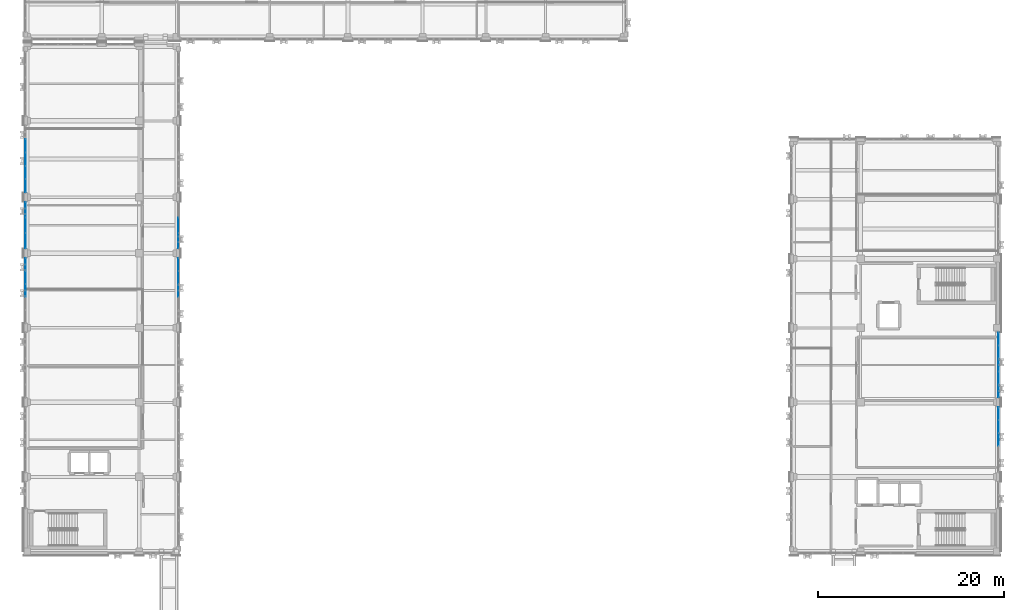
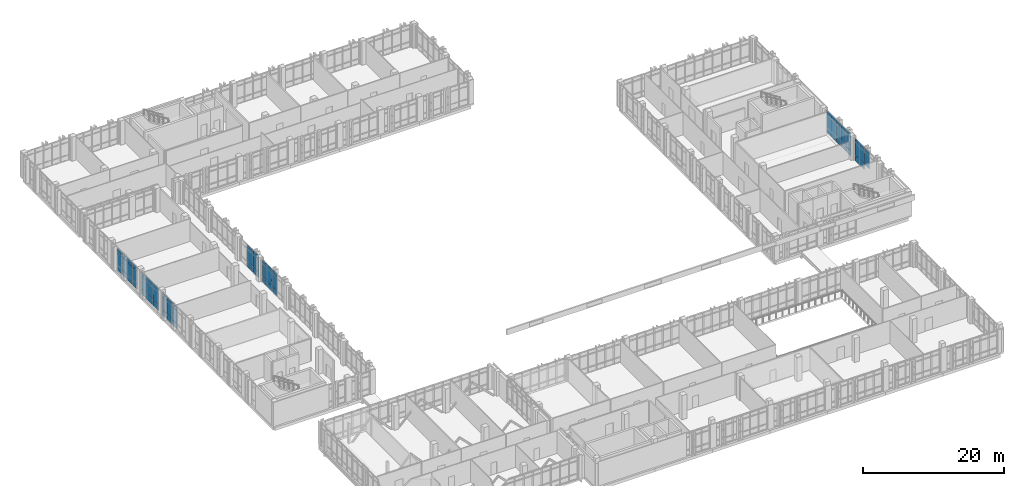
# One storey, part 120 of 158: 68 plates, 7 elements without a shape of their own.
"""IFC4 building model written with IfcOpenShell, lengths in metres."""

from ifc_helpers import new_model, si_unit, direction, frame, origin, origin_2d, place, context, subcontext, project, spatial, rectangle, extrude, material, layer, layer_set, type_object, element, aggregate, save


model = new_model("IFC4")

# Units and contexts
model_context = context("Model", 3, precision=1e-05, world=origin(), true_north=direction((0.0, 1.0)))
body_context = subcontext(model_context, "Body", "Model", "MODEL_VIEW")
ifc_project = project(units=[si_unit("LENGTHUNIT", "METRE"), si_unit("AREAUNIT", "SQUARE_METRE"), si_unit("VOLUMEUNIT", "CUBIC_METRE"), si_unit("PLANEANGLEUNIT", "RADIAN"), si_unit("MASSUNIT", "GRAM", prefix="KILO")], contexts=[model_context])

# Site, building, storey
site_placement = place(None, origin())
site = spatial("IfcSite", under=ifc_project, at=site_placement, CompositionType="ELEMENT")
building_placement = place(site_placement, origin())
building = spatial("IfcBuilding", under=site, at=building_placement, Name="Qalavern Law Courts", CompositionType="ELEMENT")
storey_placement = place(building_placement, frame((0.0, 0.0, 18.60009765625)))
storey = spatial("IfcBuildingStorey", under=building, at=storey_placement, Name="L04", CompositionType="ELEMENT", Elevation=18.60009765625)

# Curtain wall, plates
ifc_material_1 = material(Name="Anodised aluminium and insulated glazing", Category="aluminium")
ifc_layer_1 = layer(ifc_material_1, 0.159912109375)
ifc_layer_set_1 = layer_set([ifc_layer_1], Name="Anodised aluminium and insulated glazing")
curtain_wall_type = type_object("IfcCurtainWallType", Name="ENV-CW-CHAMB", PredefinedType="USERDEFINED", material=ifc_layer_set_1)
curtain_wall_1_placement = place(storey_placement, origin())
curtain_wall_1 = element("IfcCurtainWall", 1, at=curtain_wall_1_placement, inside=storey, type_object=curtain_wall_type, Name="V3 unitised curtain wall L04 west 2", ObjectType="UNITISED CURTAIN WALL", PredefinedType="USERDEFINED")
ifc_material_2 = material(Name="Insulated low-E acoustic glazing", Category="glass")
ifc_layer_2 = layer(ifc_material_2, 0.028076171875)
ifc_layer_set_2 = layer_set([ifc_layer_2], Name="Insulated low-E acoustic glazing")
plate_type_1 = type_object("IfcPlateType", Name="ENV-CWP-28", PredefinedType="CURTAIN_PANEL", material=ifc_layer_set_2)
plate_1_placement = place(storey_placement, frame((2.199951171875, 84.93994140625, 0.0478515625), z_axis=(0.0, 0.0, 1.0), x_axis=(0.0, -1.0, 0.0)))
plate_1 = element("IfcPlate", 2, at=plate_1_placement, type_object=plate_type_1, Name="CW-04 panel 2.1", PredefinedType="CURTAIN_PANEL", context=body_context, shape_type="SweptSolid", body=[
    extrude(rectangle(XDim=1.39208984375, YDim=0.028076171875, at=origin_2d()), origin(), (0.0, 0.0, 1.0), 0.8779296875),
])
plate_2_placement = place(storey_placement, frame((2.199951171875, 84.93994140625, 0.97412109375), z_axis=(0.0, 0.0, 1.0), x_axis=(0.0, -1.0, 0.0)))
plate_2 = element("IfcPlate", 3, at=plate_2_placement, type_object=plate_type_1, Name="CW-04 panel 2.2", PredefinedType="CURTAIN_PANEL", context=body_context, shape_type="SweptSolid", body=[
    extrude(rectangle(XDim=1.39208984375, YDim=0.028076171875, at=origin_2d()), origin(), (0.0, 0.0, 1.0), 2.177001953125),
])
plate_3_placement = place(storey_placement, frame((2.199951171875, 84.93994140625, 3.19873046875), z_axis=(0.0, 0.0, 1.0), x_axis=(0.0, -1.0, 0.0)))
plate_3 = element("IfcPlate", 4, at=plate_3_placement, type_object=plate_type_1, Name="CW-04 panel 2.3", PredefinedType="CURTAIN_PANEL", context=body_context, shape_type="SweptSolid", body=[
    extrude(rectangle(XDim=1.39208984375, YDim=0.028076171875, at=origin_2d()), origin(), (0.0, 0.0, 1.0), 0.677978515625),
])
plate_4_placement = place(storey_placement, frame((2.199951171875, 83.5, 0.0478515625), z_axis=(0.0, 0.0, 1.0), x_axis=(0.0, -1.0, 0.0)))
plate_4 = element("IfcPlate", 5, at=plate_4_placement, type_object=plate_type_1, Name="CW-04 panel 3.1", PredefinedType="CURTAIN_PANEL", context=body_context, shape_type="SweptSolid", body=[
    extrude(rectangle(XDim=1.39208984375, YDim=0.028076171875, at=origin_2d()), origin(), (0.0, 0.0, 1.0), 0.8779296875),
])
plate_5_placement = place(storey_placement, frame((2.199951171875, 83.5, 0.97412109375), z_axis=(0.0, 0.0, 1.0), x_axis=(0.0, -1.0, 0.0)))
plate_5 = element("IfcPlate", 6, at=plate_5_placement, type_object=plate_type_1, Name="CW-04 panel 3.2", PredefinedType="CURTAIN_PANEL", context=body_context, shape_type="SweptSolid", body=[
    extrude(rectangle(XDim=1.39208984375, YDim=0.028076171875, at=origin_2d()), origin(), (0.0, 0.0, 1.0), 2.177001953125),
])
plate_6_placement = place(storey_placement, frame((2.199951171875, 83.5, 3.19873046875), z_axis=(0.0, 0.0, 1.0), x_axis=(0.0, -1.0, 0.0)))
plate_6 = element("IfcPlate", 7, at=plate_6_placement, type_object=plate_type_1, Name="CW-04 panel 3.3", PredefinedType="CURTAIN_PANEL", context=body_context, shape_type="SweptSolid", body=[
    extrude(rectangle(XDim=1.39208984375, YDim=0.028076171875, at=origin_2d()), origin(), (0.0, 0.0, 1.0), 0.677978515625),
])
plate_7_placement = place(storey_placement, frame((2.199951171875, 82.06005859375, 0.0478515625), z_axis=(0.0, 0.0, 1.0), x_axis=(0.0, -1.0, 0.0)))
plate_7 = element("IfcPlate", 8, at=plate_7_placement, type_object=plate_type_1, Name="CW-04 panel 4.1", PredefinedType="CURTAIN_PANEL", context=body_context, shape_type="SweptSolid", body=[
    extrude(rectangle(XDim=1.39208984375, YDim=0.028076171875, at=origin_2d()), origin(), (0.0, 0.0, 1.0), 0.8779296875),
])
plate_8_placement = place(storey_placement, frame((2.199951171875, 82.06005859375, 0.97412109375), z_axis=(0.0, 0.0, 1.0), x_axis=(0.0, -1.0, 0.0)))
plate_8 = element("IfcPlate", 9, at=plate_8_placement, type_object=plate_type_1, Name="CW-04 panel 4.2", PredefinedType="CURTAIN_PANEL", context=body_context, shape_type="SweptSolid", body=[
    extrude(rectangle(XDim=1.39208984375, YDim=0.028076171875, at=origin_2d()), origin(), (0.0, 0.0, 1.0), 2.177001953125),
])
plate_9_placement = place(storey_placement, frame((2.199951171875, 82.06005859375, 3.19873046875), z_axis=(0.0, 0.0, 1.0), x_axis=(0.0, -1.0, 0.0)))
plate_9 = element("IfcPlate", 10, at=plate_9_placement, type_object=plate_type_1, Name="CW-04 panel 4.3", PredefinedType="CURTAIN_PANEL", context=body_context, shape_type="SweptSolid", body=[
    extrude(rectangle(XDim=1.39208984375, YDim=0.028076171875, at=origin_2d()), origin(), (0.0, 0.0, 1.0), 0.677978515625),
])
plate_10_placement = place(storey_placement, frame((2.199951171875, 80.632080078125, 0.0478515625), z_axis=(0.0, 0.0, 1.0), x_axis=(0.0, -1.0, 0.0)))
plate_10 = element("IfcPlate", 11, at=plate_10_placement, type_object=plate_type_1, Name="CW-04 panel 5.1", PredefinedType="CURTAIN_PANEL", context=body_context, shape_type="SweptSolid", body=[
    extrude(rectangle(XDim=1.367919921875, YDim=0.028076171875, at=origin_2d()), origin(), (0.0, 0.0, 1.0), 0.8779296875),
])
plate_11_placement = place(storey_placement, frame((2.199951171875, 80.632080078125, 0.97412109375), z_axis=(0.0, 0.0, 1.0), x_axis=(0.0, -1.0, 0.0)))
plate_11 = element("IfcPlate", 12, at=plate_11_placement, type_object=plate_type_1, Name="CW-04 panel 5.2", PredefinedType="CURTAIN_PANEL", context=body_context, shape_type="SweptSolid", body=[
    extrude(rectangle(XDim=1.367919921875, YDim=0.028076171875, at=origin_2d()), origin(), (0.0, 0.0, 1.0), 2.177001953125),
])
plate_12_placement = place(storey_placement, frame((2.199951171875, 80.632080078125, 3.19873046875), z_axis=(0.0, 0.0, 1.0), x_axis=(0.0, -1.0, 0.0)))
plate_12 = element("IfcPlate", 13, at=plate_12_placement, type_object=plate_type_1, Name="CW-04 panel 5.3", PredefinedType="CURTAIN_PANEL", context=body_context, shape_type="SweptSolid", body=[
    extrude(rectangle(XDim=1.367919921875, YDim=0.028076171875, at=origin_2d()), origin(), (0.0, 0.0, 1.0), 0.677978515625),
])
aggregate(curtain_wall_1, [plate_1, plate_2, plate_3, plate_4, plate_5, plate_6, plate_7, plate_8, plate_9, plate_10, plate_11, plate_12])

curtain_wall_2_placement = place(storey_placement, origin())
curtain_wall_2 = element("IfcCurtainWall", 14, at=curtain_wall_2_placement, inside=storey, type_object=curtain_wall_type, Name="V4 unitised curtain wall L04 east 2", ObjectType="UNITISED CURTAIN WALL", PredefinedType="USERDEFINED")
plate_13_placement = place(storey_placement, frame((106.60009765625, 53.39990234375, 0.97412109375), z_axis=(0.0, 0.0, 1.0), x_axis=(0.0, 1.0, 0.0)))
plate_13 = element("IfcPlate", 15, at=plate_13_placement, type_object=plate_type_1, Name="CW-04 panel 3.2", PredefinedType="CURTAIN_PANEL", context=body_context, shape_type="SweptSolid", body=[
    extrude(rectangle(XDim=1.35205078125, YDim=0.028076171875, at=origin_2d()), origin(), (0.0, 0.0, 1.0), 2.177001953125),
])
plate_14_placement = place(storey_placement, frame((106.60009765625, 53.39990234375, 3.19873046875), z_axis=(0.0, 0.0, 1.0), x_axis=(0.0, 1.0, 0.0)))
plate_14 = element("IfcPlate", 16, at=plate_14_placement, type_object=plate_type_1, Name="CW-04 panel 3.3", PredefinedType="CURTAIN_PANEL", context=body_context, shape_type="SweptSolid", body=[
    extrude(rectangle(XDim=1.35205078125, YDim=0.028076171875, at=origin_2d()), origin(), (0.0, 0.0, 1.0), 0.677978515625),
])
plate_15_placement = place(storey_placement, frame((106.60009765625, 54.800048828125, 0.0478515625), z_axis=(0.0, 0.0, 1.0), x_axis=(0.0, 1.0, 0.0)))
plate_15 = element("IfcPlate", 17, at=plate_15_placement, type_object=plate_type_1, Name="CW-04 panel 4.1", PredefinedType="CURTAIN_PANEL", context=body_context, shape_type="SweptSolid", body=[
    extrude(rectangle(XDim=1.35205078125, YDim=0.028076171875, at=origin_2d()), origin(), (0.0, 0.0, 1.0), 0.8779296875),
])
plate_16_placement = place(storey_placement, frame((106.60009765625, 54.800048828125, 0.97412109375), z_axis=(0.0, 0.0, 1.0), x_axis=(0.0, 1.0, 0.0)))
plate_16 = element("IfcPlate", 18, at=plate_16_placement, type_object=plate_type_1, Name="CW-04 panel 4.2", PredefinedType="CURTAIN_PANEL", context=body_context, shape_type="SweptSolid", body=[
    extrude(rectangle(XDim=1.35205078125, YDim=0.028076171875, at=origin_2d()), origin(), (0.0, 0.0, 1.0), 2.177001953125),
])
plate_17_placement = place(storey_placement, frame((106.60009765625, 54.800048828125, 3.19873046875), z_axis=(0.0, 0.0, 1.0), x_axis=(0.0, 1.0, 0.0)))
plate_17 = element("IfcPlate", 19, at=plate_17_placement, type_object=plate_type_1, Name="CW-04 panel 4.3", PredefinedType="CURTAIN_PANEL", context=body_context, shape_type="SweptSolid", body=[
    extrude(rectangle(XDim=1.35205078125, YDim=0.028076171875, at=origin_2d()), origin(), (0.0, 0.0, 1.0), 0.677978515625),
])
plate_18_placement = place(storey_placement, frame((106.60009765625, 56.18798828125, 0.0478515625), z_axis=(0.0, 0.0, 1.0), x_axis=(0.0, 1.0, 0.0)))
plate_18 = element("IfcPlate", 20, at=plate_18_placement, type_object=plate_type_1, Name="CW-04 panel 5.1", PredefinedType="CURTAIN_PANEL", context=body_context, shape_type="SweptSolid", body=[
    extrude(rectangle(XDim=1.327880859375, YDim=0.028076171875, at=origin_2d()), origin(), (0.0, 0.0, 1.0), 0.8779296875),
])
plate_19_placement = place(storey_placement, frame((106.60009765625, 56.18798828125, 0.97412109375), z_axis=(0.0, 0.0, 1.0), x_axis=(0.0, 1.0, 0.0)))
plate_19 = element("IfcPlate", 21, at=plate_19_placement, type_object=plate_type_1, Name="CW-04 panel 5.2", PredefinedType="CURTAIN_PANEL", context=body_context, shape_type="SweptSolid", body=[
    extrude(rectangle(XDim=1.327880859375, YDim=0.028076171875, at=origin_2d()), origin(), (0.0, 0.0, 1.0), 2.177001953125),
])
plate_20_placement = place(storey_placement, frame((106.60009765625, 56.18798828125, 3.19873046875), z_axis=(0.0, 0.0, 1.0), x_axis=(0.0, 1.0, 0.0)))
plate_20 = element("IfcPlate", 22, at=plate_20_placement, type_object=plate_type_1, Name="CW-04 panel 5.3", PredefinedType="CURTAIN_PANEL", context=body_context, shape_type="SweptSolid", body=[
    extrude(rectangle(XDim=1.327880859375, YDim=0.028076171875, at=origin_2d()), origin(), (0.0, 0.0, 1.0), 0.677978515625),
])
aggregate(curtain_wall_2, [plate_13, plate_14, plate_15, plate_16, plate_17, plate_18, plate_19, plate_20])

curtain_wall_3_placement = place(storey_placement, origin())
curtain_wall_3 = element("IfcCurtainWall", 23, at=curtain_wall_3_placement, inside=storey, type_object=curtain_wall_type, Name="V3 unitised curtain wall L04 west 3", ObjectType="UNITISED CURTAIN WALL", PredefinedType="USERDEFINED")
ifc_layer_3 = layer(ifc_material_2, 0.031982421875)
ifc_layer_set_3 = layer_set([ifc_layer_3], Name="Insulated low-E acoustic glazing")
plate_type_2 = type_object("IfcPlateType", Name="ENV-CWP-32", PredefinedType="CURTAIN_PANEL", material=ifc_layer_set_3)
plate_21_placement = place(storey_placement, frame((2.199951171875, 78.0546875, 0.0478515625), z_axis=(0.0, 0.0, 1.0), x_axis=(0.0, -1.0, 0.0)))
plate_21 = element("IfcPlate", 24, at=plate_21_placement, type_object=plate_type_2, Name="CW-04 panel 1.1", PredefinedType="CURTAIN_PANEL", context=body_context, shape_type="SweptSolid", body=[
    extrude(rectangle(XDim=1.5947265625, YDim=0.031982421875, at=origin_2d()), origin(), (0.0, 0.0, 1.0), 0.8779296875),
])
plate_22_placement = place(storey_placement, frame((2.199951171875, 78.0546875, 0.97412109375), z_axis=(0.0, 0.0, 1.0), x_axis=(0.0, -1.0, 0.0)))
plate_22 = element("IfcPlate", 25, at=plate_22_placement, type_object=plate_type_2, Name="CW-04 panel 1.2", PredefinedType="CURTAIN_PANEL", context=body_context, shape_type="SweptSolid", body=[
    extrude(rectangle(XDim=1.5947265625, YDim=0.031982421875, at=origin_2d()), origin(), (0.0, 0.0, 1.0), 2.177001953125),
])
plate_23_placement = place(storey_placement, frame((2.199951171875, 78.0546875, 3.19873046875), z_axis=(0.0, 0.0, 1.0), x_axis=(0.0, -1.0, 0.0)))
plate_23 = element("IfcPlate", 26, at=plate_23_placement, type_object=plate_type_2, Name="CW-04 panel 1.3", PredefinedType="CURTAIN_PANEL", context=body_context, shape_type="SweptSolid", body=[
    extrude(rectangle(XDim=1.5947265625, YDim=0.031982421875, at=origin_2d()), origin(), (0.0, 0.0, 1.0), 0.677978515625),
])
plate_24_placement = place(storey_placement, frame((2.199951171875, 76.39990234375, 0.0478515625), z_axis=(0.0, 0.0, 1.0), x_axis=(0.0, -1.0, 0.0)))
plate_24 = element("IfcPlate", 27, at=plate_24_placement, type_object=plate_type_2, Name="CW-04 panel 2.1", PredefinedType="CURTAIN_PANEL", context=body_context, shape_type="SweptSolid", body=[
    extrude(rectangle(XDim=1.61865234375, YDim=0.031982421875, at=origin_2d()), origin(), (0.0, 0.0, 1.0), 0.8779296875),
])
plate_25_placement = place(storey_placement, frame((2.199951171875, 76.39990234375, 0.97412109375), z_axis=(0.0, 0.0, 1.0), x_axis=(0.0, -1.0, 0.0)))
plate_25 = element("IfcPlate", 28, at=plate_25_placement, type_object=plate_type_2, Name="CW-04 panel 2.2", PredefinedType="CURTAIN_PANEL", context=body_context, shape_type="SweptSolid", body=[
    extrude(rectangle(XDim=1.61865234375, YDim=0.031982421875, at=origin_2d()), origin(), (0.0, 0.0, 1.0), 2.177001953125),
])
plate_26_placement = place(storey_placement, frame((2.199951171875, 76.39990234375, 3.19873046875), z_axis=(0.0, 0.0, 1.0), x_axis=(0.0, -1.0, 0.0)))
plate_26 = element("IfcPlate", 29, at=plate_26_placement, type_object=plate_type_2, Name="CW-04 panel 2.3", PredefinedType="CURTAIN_PANEL", context=body_context, shape_type="SweptSolid", body=[
    extrude(rectangle(XDim=1.61865234375, YDim=0.031982421875, at=origin_2d()), origin(), (0.0, 0.0, 1.0), 0.677978515625),
])
plate_27_placement = place(storey_placement, frame((2.199951171875, 74.745361328125, 0.0478515625), z_axis=(0.0, 0.0, 1.0), x_axis=(0.0, -1.0, 0.0)))
plate_27 = element("IfcPlate", 30, at=plate_27_placement, type_object=plate_type_2, Name="CW-04 panel 3.1", PredefinedType="CURTAIN_PANEL", context=body_context, shape_type="SweptSolid", body=[
    extrude(rectangle(XDim=1.5947265625, YDim=0.031982421875, at=origin_2d()), origin(), (0.0, 0.0, 1.0), 0.8779296875),
])
plate_28_placement = place(storey_placement, frame((2.199951171875, 74.745361328125, 0.97412109375), z_axis=(0.0, 0.0, 1.0), x_axis=(0.0, -1.0, 0.0)))
plate_28 = element("IfcPlate", 31, at=plate_28_placement, type_object=plate_type_2, Name="CW-04 panel 3.2", PredefinedType="CURTAIN_PANEL", context=body_context, shape_type="SweptSolid", body=[
    extrude(rectangle(XDim=1.5947265625, YDim=0.031982421875, at=origin_2d()), origin(), (0.0, 0.0, 1.0), 2.177001953125),
])
plate_29_placement = place(storey_placement, frame((2.199951171875, 74.745361328125, 3.19873046875), z_axis=(0.0, 0.0, 1.0), x_axis=(0.0, -1.0, 0.0)))
plate_29 = element("IfcPlate", 32, at=plate_29_placement, type_object=plate_type_2, Name="CW-04 panel 3.3", PredefinedType="CURTAIN_PANEL", context=body_context, shape_type="SweptSolid", body=[
    extrude(rectangle(XDim=1.5947265625, YDim=0.031982421875, at=origin_2d()), origin(), (0.0, 0.0, 1.0), 0.677978515625),
])
aggregate(curtain_wall_3, [plate_21, plate_22, plate_23, plate_24, plate_25, plate_26, plate_27, plate_28, plate_29])

curtain_wall_4_placement = place(storey_placement, origin())
curtain_wall_4 = element("IfcCurtainWall", 33, at=curtain_wall_4_placement, inside=storey, type_object=curtain_wall_type, Name="V4 unitised curtain wall L04 east 3", ObjectType="UNITISED CURTAIN WALL", PredefinedType="USERDEFINED")
plate_30_placement = place(storey_placement, frame((106.60009765625, 58.612060546875, 0.0478515625), z_axis=(0.0, 0.0, 1.0), x_axis=(0.0, 1.0, 0.0)))
plate_30 = element("IfcPlate", 34, at=plate_30_placement, type_object=plate_type_2, Name="CW-04 panel 1.1", PredefinedType="CURTAIN_PANEL", context=body_context, shape_type="SweptSolid", body=[
    extrude(rectangle(XDim=1.327880859375, YDim=0.031982421875, at=origin_2d()), origin(), (0.0, 0.0, 1.0), 0.8779296875),
])
plate_31_placement = place(storey_placement, frame((106.60009765625, 58.612060546875, 0.97412109375), z_axis=(0.0, 0.0, 1.0), x_axis=(0.0, 1.0, 0.0)))
plate_31 = element("IfcPlate", 35, at=plate_31_placement, type_object=plate_type_2, Name="CW-04 panel 1.2", PredefinedType="CURTAIN_PANEL", context=body_context, shape_type="SweptSolid", body=[
    extrude(rectangle(XDim=1.327880859375, YDim=0.031982421875, at=origin_2d()), origin(), (0.0, 0.0, 1.0), 2.177001953125),
])
plate_32_placement = place(storey_placement, frame((106.60009765625, 58.612060546875, 3.19873046875), z_axis=(0.0, 0.0, 1.0), x_axis=(0.0, 1.0, 0.0)))
plate_32 = element("IfcPlate", 36, at=plate_32_placement, type_object=plate_type_2, Name="CW-04 panel 1.3", PredefinedType="CURTAIN_PANEL", context=body_context, shape_type="SweptSolid", body=[
    extrude(rectangle(XDim=1.327880859375, YDim=0.031982421875, at=origin_2d()), origin(), (0.0, 0.0, 1.0), 0.677978515625),
])
plate_33_placement = place(storey_placement, frame((106.60009765625, 60.0, 0.0478515625), z_axis=(0.0, 0.0, 1.0), x_axis=(0.0, 1.0, 0.0)))
plate_33 = element("IfcPlate", 37, at=plate_33_placement, type_object=plate_type_2, Name="CW-04 panel 2.1", PredefinedType="CURTAIN_PANEL", context=body_context, shape_type="SweptSolid", body=[
    extrude(rectangle(XDim=1.35205078125, YDim=0.031982421875, at=origin_2d()), origin(), (0.0, 0.0, 1.0), 0.8779296875),
])
plate_34_placement = place(storey_placement, frame((106.60009765625, 60.0, 0.97412109375), z_axis=(0.0, 0.0, 1.0), x_axis=(0.0, 1.0, 0.0)))
plate_34 = element("IfcPlate", 38, at=plate_34_placement, type_object=plate_type_2, Name="CW-04 panel 2.2", PredefinedType="CURTAIN_PANEL", context=body_context, shape_type="SweptSolid", body=[
    extrude(rectangle(XDim=1.35205078125, YDim=0.031982421875, at=origin_2d()), origin(), (0.0, 0.0, 1.0), 2.177001953125),
])
plate_35_placement = place(storey_placement, frame((106.60009765625, 60.0, 3.19873046875), z_axis=(0.0, 0.0, 1.0), x_axis=(0.0, 1.0, 0.0)))
plate_35 = element("IfcPlate", 39, at=plate_35_placement, type_object=plate_type_2, Name="CW-04 panel 2.3", PredefinedType="CURTAIN_PANEL", context=body_context, shape_type="SweptSolid", body=[
    extrude(rectangle(XDim=1.35205078125, YDim=0.031982421875, at=origin_2d()), origin(), (0.0, 0.0, 1.0), 0.677978515625),
])
plate_36_placement = place(storey_placement, frame((106.60009765625, 61.39990234375, 0.0478515625), z_axis=(0.0, 0.0, 1.0), x_axis=(0.0, 1.0, 0.0)))
plate_36 = element("IfcPlate", 40, at=plate_36_placement, type_object=plate_type_2, Name="CW-04 panel 3.1", PredefinedType="CURTAIN_PANEL", context=body_context, shape_type="SweptSolid", body=[
    extrude(rectangle(XDim=1.35205078125, YDim=0.031982421875, at=origin_2d()), origin(), (0.0, 0.0, 1.0), 0.8779296875),
])
plate_37_placement = place(storey_placement, frame((106.60009765625, 61.39990234375, 0.97412109375), z_axis=(0.0, 0.0, 1.0), x_axis=(0.0, 1.0, 0.0)))
plate_37 = element("IfcPlate", 41, at=plate_37_placement, type_object=plate_type_2, Name="CW-04 panel 3.2", PredefinedType="CURTAIN_PANEL", context=body_context, shape_type="SweptSolid", body=[
    extrude(rectangle(XDim=1.35205078125, YDim=0.031982421875, at=origin_2d()), origin(), (0.0, 0.0, 1.0), 2.177001953125),
])
plate_38_placement = place(storey_placement, frame((106.60009765625, 61.39990234375, 3.19873046875), z_axis=(0.0, 0.0, 1.0), x_axis=(0.0, 1.0, 0.0)))
plate_38 = element("IfcPlate", 42, at=plate_38_placement, type_object=plate_type_2, Name="CW-04 panel 3.3", PredefinedType="CURTAIN_PANEL", context=body_context, shape_type="SweptSolid", body=[
    extrude(rectangle(XDim=1.35205078125, YDim=0.031982421875, at=origin_2d()), origin(), (0.0, 0.0, 1.0), 0.677978515625),
])
plate_39_placement = place(storey_placement, frame((106.60009765625, 62.800048828125, 0.0478515625), z_axis=(0.0, 0.0, 1.0), x_axis=(0.0, 1.0, 0.0)))
plate_39 = element("IfcPlate", 43, at=plate_39_placement, type_object=plate_type_2, Name="CW-04 panel 4.1", PredefinedType="CURTAIN_PANEL", context=body_context, shape_type="SweptSolid", body=[
    extrude(rectangle(XDim=1.35205078125, YDim=0.031982421875, at=origin_2d()), origin(), (0.0, 0.0, 1.0), 0.8779296875),
])
plate_40_placement = place(storey_placement, frame((106.60009765625, 62.800048828125, 0.97412109375), z_axis=(0.0, 0.0, 1.0), x_axis=(0.0, 1.0, 0.0)))
plate_40 = element("IfcPlate", 44, at=plate_40_placement, type_object=plate_type_2, Name="CW-04 panel 4.2", PredefinedType="CURTAIN_PANEL", context=body_context, shape_type="SweptSolid", body=[
    extrude(rectangle(XDim=1.35205078125, YDim=0.031982421875, at=origin_2d()), origin(), (0.0, 0.0, 1.0), 2.177001953125),
])
plate_41_placement = place(storey_placement, frame((106.60009765625, 62.800048828125, 3.19873046875), z_axis=(0.0, 0.0, 1.0), x_axis=(0.0, 1.0, 0.0)))
plate_41 = element("IfcPlate", 45, at=plate_41_placement, type_object=plate_type_2, Name="CW-04 panel 4.3", PredefinedType="CURTAIN_PANEL", context=body_context, shape_type="SweptSolid", body=[
    extrude(rectangle(XDim=1.35205078125, YDim=0.031982421875, at=origin_2d()), origin(), (0.0, 0.0, 1.0), 0.677978515625),
])
plate_42_placement = place(storey_placement, frame((106.60009765625, 64.18798828125, 0.0478515625), z_axis=(0.0, 0.0, 1.0), x_axis=(0.0, 1.0, 0.0)))
plate_42 = element("IfcPlate", 46, at=plate_42_placement, type_object=plate_type_2, Name="CW-04 panel 5.1", PredefinedType="CURTAIN_PANEL", context=body_context, shape_type="SweptSolid", body=[
    extrude(rectangle(XDim=1.327880859375, YDim=0.031982421875, at=origin_2d()), origin(), (0.0, 0.0, 1.0), 0.8779296875),
])
plate_43_placement = place(storey_placement, frame((106.60009765625, 64.18798828125, 0.97412109375), z_axis=(0.0, 0.0, 1.0), x_axis=(0.0, 1.0, 0.0)))
plate_43 = element("IfcPlate", 47, at=plate_43_placement, type_object=plate_type_2, Name="CW-04 panel 5.2", PredefinedType="CURTAIN_PANEL", context=body_context, shape_type="SweptSolid", body=[
    extrude(rectangle(XDim=1.327880859375, YDim=0.031982421875, at=origin_2d()), origin(), (0.0, 0.0, 1.0), 2.177001953125),
])
plate_44_placement = place(storey_placement, frame((106.60009765625, 64.18798828125, 3.19873046875), z_axis=(0.0, 0.0, 1.0), x_axis=(0.0, 1.0, 0.0)))
plate_44 = element("IfcPlate", 48, at=plate_44_placement, type_object=plate_type_2, Name="CW-04 panel 5.3", PredefinedType="CURTAIN_PANEL", context=body_context, shape_type="SweptSolid", body=[
    extrude(rectangle(XDim=1.327880859375, YDim=0.031982421875, at=origin_2d()), origin(), (0.0, 0.0, 1.0), 0.677978515625),
])
aggregate(curtain_wall_4, [plate_30, plate_31, plate_32, plate_33, plate_34, plate_35, plate_36, plate_37, plate_38, plate_39, plate_40, plate_41, plate_42, plate_43, plate_44])

curtain_wall_5_placement = place(storey_placement, origin())
curtain_wall_5 = element("IfcCurtainWall", 49, at=curtain_wall_5_placement, inside=storey, type_object=curtain_wall_type, Name="V3 unitised curtain wall L04 east 4", ObjectType="UNITISED CURTAIN WALL", PredefinedType="USERDEFINED")
ifc_layer_4 = layer(ifc_material_2, 0.035888671875)
ifc_layer_set_4 = layer_set([ifc_layer_4], Name="Insulated low-E acoustic glazing")
plate_type_3 = type_object("IfcPlateType", Name="ENV-CWP-36", PredefinedType="CURTAIN_PANEL", material=ifc_layer_set_4)
plate_45_placement = place(storey_placement, frame((18.60009765625, 69.39990234375, 0.0478515625), z_axis=(0.0, 0.0, 1.0), x_axis=(0.0, 1.0, 0.0)))
plate_45 = element("IfcPlate", 50, at=plate_45_placement, type_object=plate_type_3, Name="CW-04 panel 3.1", PredefinedType="CURTAIN_PANEL", context=body_context, shape_type="SweptSolid", body=[
    extrude(rectangle(XDim=1.35205078125, YDim=0.035888671875, at=origin_2d()), origin(), (0.0, 0.0, 1.0), 0.8779296875),
])
plate_46_placement = place(storey_placement, frame((18.60009765625, 69.39990234375, 0.97412109375), z_axis=(0.0, 0.0, 1.0), x_axis=(0.0, 1.0, 0.0)))
plate_46 = element("IfcPlate", 51, at=plate_46_placement, type_object=plate_type_3, Name="CW-04 panel 3.2", PredefinedType="CURTAIN_PANEL", context=body_context, shape_type="SweptSolid", body=[
    extrude(rectangle(XDim=1.35205078125, YDim=0.035888671875, at=origin_2d()), origin(), (0.0, 0.0, 1.0), 2.177001953125),
])
plate_47_placement = place(storey_placement, frame((18.60009765625, 69.39990234375, 3.19873046875), z_axis=(0.0, 0.0, 1.0), x_axis=(0.0, 1.0, 0.0)))
plate_47 = element("IfcPlate", 52, at=plate_47_placement, type_object=plate_type_3, Name="CW-04 panel 3.3", PredefinedType="CURTAIN_PANEL", context=body_context, shape_type="SweptSolid", body=[
    extrude(rectangle(XDim=1.35205078125, YDim=0.035888671875, at=origin_2d()), origin(), (0.0, 0.0, 1.0), 0.677978515625),
])
plate_48_placement = place(storey_placement, frame((18.60009765625, 70.800048828125, 0.0478515625), z_axis=(0.0, 0.0, 1.0), x_axis=(0.0, 1.0, 0.0)))
plate_48 = element("IfcPlate", 53, at=plate_48_placement, type_object=plate_type_3, Name="CW-04 panel 4.1", PredefinedType="CURTAIN_PANEL", context=body_context, shape_type="SweptSolid", body=[
    extrude(rectangle(XDim=1.35205078125, YDim=0.035888671875, at=origin_2d()), origin(), (0.0, 0.0, 1.0), 0.8779296875),
])
plate_49_placement = place(storey_placement, frame((18.60009765625, 70.800048828125, 0.97412109375), z_axis=(0.0, 0.0, 1.0), x_axis=(0.0, 1.0, 0.0)))
plate_49 = element("IfcPlate", 54, at=plate_49_placement, type_object=plate_type_3, Name="CW-04 panel 4.2", PredefinedType="CURTAIN_PANEL", context=body_context, shape_type="SweptSolid", body=[
    extrude(rectangle(XDim=1.35205078125, YDim=0.035888671875, at=origin_2d()), origin(), (0.0, 0.0, 1.0), 2.177001953125),
])
plate_50_placement = place(storey_placement, frame((18.60009765625, 70.800048828125, 3.19873046875), z_axis=(0.0, 0.0, 1.0), x_axis=(0.0, 1.0, 0.0)))
plate_50 = element("IfcPlate", 55, at=plate_50_placement, type_object=plate_type_3, Name="CW-04 panel 4.3", PredefinedType="CURTAIN_PANEL", context=body_context, shape_type="SweptSolid", body=[
    extrude(rectangle(XDim=1.35205078125, YDim=0.035888671875, at=origin_2d()), origin(), (0.0, 0.0, 1.0), 0.677978515625),
])
plate_51_placement = place(storey_placement, frame((18.60009765625, 72.18798828125, 0.0478515625), z_axis=(0.0, 0.0, 1.0), x_axis=(0.0, 1.0, 0.0)))
plate_51 = element("IfcPlate", 56, at=plate_51_placement, type_object=plate_type_3, Name="CW-04 panel 5.1", PredefinedType="CURTAIN_PANEL", context=body_context, shape_type="SweptSolid", body=[
    extrude(rectangle(XDim=1.327880859375, YDim=0.035888671875, at=origin_2d()), origin(), (0.0, 0.0, 1.0), 0.8779296875),
])
plate_52_placement = place(storey_placement, frame((18.60009765625, 72.18798828125, 0.97412109375), z_axis=(0.0, 0.0, 1.0), x_axis=(0.0, 1.0, 0.0)))
plate_52 = element("IfcPlate", 57, at=plate_52_placement, type_object=plate_type_3, Name="CW-04 panel 5.2", PredefinedType="CURTAIN_PANEL", context=body_context, shape_type="SweptSolid", body=[
    extrude(rectangle(XDim=1.327880859375, YDim=0.035888671875, at=origin_2d()), origin(), (0.0, 0.0, 1.0), 2.177001953125),
])
plate_53_placement = place(storey_placement, frame((18.60009765625, 72.18798828125, 3.19873046875), z_axis=(0.0, 0.0, 1.0), x_axis=(0.0, 1.0, 0.0)))
plate_53 = element("IfcPlate", 58, at=plate_53_placement, type_object=plate_type_3, Name="CW-04 panel 5.3", PredefinedType="CURTAIN_PANEL", context=body_context, shape_type="SweptSolid", body=[
    extrude(rectangle(XDim=1.327880859375, YDim=0.035888671875, at=origin_2d()), origin(), (0.0, 0.0, 1.0), 0.677978515625),
])
aggregate(curtain_wall_5, [plate_45, plate_46, plate_47, plate_48, plate_49, plate_50, plate_51, plate_52, plate_53])

curtain_wall_6_placement = place(storey_placement, origin())
curtain_wall_6 = element("IfcCurtainWall", 59, at=curtain_wall_6_placement, inside=storey, type_object=curtain_wall_type, Name="V3 unitised curtain wall L04 west 4", ObjectType="UNITISED CURTAIN WALL", PredefinedType="USERDEFINED")
plate_54_placement = place(storey_placement, frame((2.199951171875, 72.18798828125, 0.0478515625), z_axis=(0.0, 0.0, 1.0), x_axis=(0.0, -1.0, 0.0)))
plate_54 = element("IfcPlate", 60, at=plate_54_placement, type_object=plate_type_3, Name="CW-04 panel 1.1", PredefinedType="CURTAIN_PANEL", context=body_context, shape_type="SweptSolid", body=[
    extrude(rectangle(XDim=1.327880859375, YDim=0.035888671875, at=origin_2d()), origin(), (0.0, 0.0, 1.0), 0.8779296875),
])
plate_55_placement = place(storey_placement, frame((2.199951171875, 72.18798828125, 0.97412109375), z_axis=(0.0, 0.0, 1.0), x_axis=(0.0, -1.0, 0.0)))
plate_55 = element("IfcPlate", 61, at=plate_55_placement, type_object=plate_type_3, Name="CW-04 panel 1.2", PredefinedType="CURTAIN_PANEL", context=body_context, shape_type="SweptSolid", body=[
    extrude(rectangle(XDim=1.327880859375, YDim=0.035888671875, at=origin_2d()), origin(), (0.0, 0.0, 1.0), 2.177001953125),
])
plate_56_placement = place(storey_placement, frame((2.199951171875, 72.18798828125, 3.19873046875), z_axis=(0.0, 0.0, 1.0), x_axis=(0.0, -1.0, 0.0)))
plate_56 = element("IfcPlate", 62, at=plate_56_placement, type_object=plate_type_3, Name="CW-04 panel 1.3", PredefinedType="CURTAIN_PANEL", context=body_context, shape_type="SweptSolid", body=[
    extrude(rectangle(XDim=1.327880859375, YDim=0.035888671875, at=origin_2d()), origin(), (0.0, 0.0, 1.0), 0.677978515625),
])
plate_57_placement = place(storey_placement, frame((2.199951171875, 70.800048828125, 0.0478515625), z_axis=(0.0, 0.0, 1.0), x_axis=(0.0, -1.0, 0.0)))
plate_57 = element("IfcPlate", 63, at=plate_57_placement, type_object=plate_type_3, Name="CW-04 panel 2.1", PredefinedType="CURTAIN_PANEL", context=body_context, shape_type="SweptSolid", body=[
    extrude(rectangle(XDim=1.35205078125, YDim=0.035888671875, at=origin_2d()), origin(), (0.0, 0.0, 1.0), 0.8779296875),
])
plate_58_placement = place(storey_placement, frame((2.199951171875, 70.800048828125, 0.97412109375), z_axis=(0.0, 0.0, 1.0), x_axis=(0.0, -1.0, 0.0)))
plate_58 = element("IfcPlate", 64, at=plate_58_placement, type_object=plate_type_3, Name="CW-04 panel 2.2", PredefinedType="CURTAIN_PANEL", context=body_context, shape_type="SweptSolid", body=[
    extrude(rectangle(XDim=1.35205078125, YDim=0.035888671875, at=origin_2d()), origin(), (0.0, 0.0, 1.0), 2.177001953125),
])
plate_59_placement = place(storey_placement, frame((2.199951171875, 70.800048828125, 3.19873046875), z_axis=(0.0, 0.0, 1.0), x_axis=(0.0, -1.0, 0.0)))
plate_59 = element("IfcPlate", 65, at=plate_59_placement, type_object=plate_type_3, Name="CW-04 panel 2.3", PredefinedType="CURTAIN_PANEL", context=body_context, shape_type="SweptSolid", body=[
    extrude(rectangle(XDim=1.35205078125, YDim=0.035888671875, at=origin_2d()), origin(), (0.0, 0.0, 1.0), 0.677978515625),
])
plate_60_placement = place(storey_placement, frame((2.199951171875, 69.39990234375, 0.0478515625), z_axis=(0.0, 0.0, 1.0), x_axis=(0.0, -1.0, 0.0)))
plate_60 = element("IfcPlate", 66, at=plate_60_placement, type_object=plate_type_3, Name="CW-04 panel 3.1", PredefinedType="CURTAIN_PANEL", context=body_context, shape_type="SweptSolid", body=[
    extrude(rectangle(XDim=1.35205078125, YDim=0.035888671875, at=origin_2d()), origin(), (0.0, 0.0, 1.0), 0.8779296875),
])
plate_61_placement = place(storey_placement, frame((2.199951171875, 69.39990234375, 0.97412109375), z_axis=(0.0, 0.0, 1.0), x_axis=(0.0, -1.0, 0.0)))
plate_61 = element("IfcPlate", 67, at=plate_61_placement, type_object=plate_type_3, Name="CW-04 panel 3.2", PredefinedType="CURTAIN_PANEL", context=body_context, shape_type="SweptSolid", body=[
    extrude(rectangle(XDim=1.35205078125, YDim=0.035888671875, at=origin_2d()), origin(), (0.0, 0.0, 1.0), 2.177001953125),
])
plate_62_placement = place(storey_placement, frame((2.199951171875, 69.39990234375, 3.19873046875), z_axis=(0.0, 0.0, 1.0), x_axis=(0.0, -1.0, 0.0)))
plate_62 = element("IfcPlate", 68, at=plate_62_placement, type_object=plate_type_3, Name="CW-04 panel 3.3", PredefinedType="CURTAIN_PANEL", context=body_context, shape_type="SweptSolid", body=[
    extrude(rectangle(XDim=1.35205078125, YDim=0.035888671875, at=origin_2d()), origin(), (0.0, 0.0, 1.0), 0.677978515625),
])
aggregate(curtain_wall_6, [plate_54, plate_55, plate_56, plate_57, plate_58, plate_59, plate_60, plate_61, plate_62])

curtain_wall_7_placement = place(storey_placement, origin())
curtain_wall_7 = element("IfcCurtainWall", 69, at=curtain_wall_7_placement, inside=storey, type_object=curtain_wall_type, Name="V3 unitised curtain wall L04 east 5", ObjectType="UNITISED CURTAIN WALL", PredefinedType="USERDEFINED")
ifc_layer_5 = layer(ifc_material_2, 0.0400390625)
ifc_layer_set_5 = layer_set([ifc_layer_5], Name="Insulated low-E acoustic glazing")
plate_type_4 = type_object("IfcPlateType", Name="ENV-CWP-40", PredefinedType="CURTAIN_PANEL", material=ifc_layer_set_5)
plate_63_placement = place(storey_placement, frame((18.60009765625, 74.745361328125, 0.0478515625), z_axis=(0.0, 0.0, 1.0), x_axis=(0.0, 1.0, 0.0)))
plate_63 = element("IfcPlate", 70, at=plate_63_placement, type_object=plate_type_4, Name="CW-04 panel 1.1", PredefinedType="CURTAIN_PANEL", context=body_context, shape_type="SweptSolid", body=[
    extrude(rectangle(XDim=1.5947265625, YDim=0.0400390625, at=origin_2d()), origin(), (0.0, 0.0, 1.0), 0.8779296875),
])
plate_64_placement = place(storey_placement, frame((18.60009765625, 74.745361328125, 0.97412109375), z_axis=(0.0, 0.0, 1.0), x_axis=(0.0, 1.0, 0.0)))
plate_64 = element("IfcPlate", 71, at=plate_64_placement, type_object=plate_type_4, Name="CW-04 panel 1.2", PredefinedType="CURTAIN_PANEL", context=body_context, shape_type="SweptSolid", body=[
    extrude(rectangle(XDim=1.5947265625, YDim=0.0400390625, at=origin_2d()), origin(), (0.0, 0.0, 1.0), 2.177001953125),
])
plate_65_placement = place(storey_placement, frame((18.60009765625, 74.745361328125, 3.19873046875), z_axis=(0.0, 0.0, 1.0), x_axis=(0.0, 1.0, 0.0)))
plate_65 = element("IfcPlate", 72, at=plate_65_placement, type_object=plate_type_4, Name="CW-04 panel 1.3", PredefinedType="CURTAIN_PANEL", context=body_context, shape_type="SweptSolid", body=[
    extrude(rectangle(XDim=1.5947265625, YDim=0.0400390625, at=origin_2d()), origin(), (0.0, 0.0, 1.0), 0.677978515625),
])
plate_66_placement = place(storey_placement, frame((18.60009765625, 76.39990234375, 0.0478515625), z_axis=(0.0, 0.0, 1.0), x_axis=(0.0, 1.0, 0.0)))
plate_66 = element("IfcPlate", 73, at=plate_66_placement, type_object=plate_type_4, Name="CW-04 panel 2.1", PredefinedType="CURTAIN_PANEL", context=body_context, shape_type="SweptSolid", body=[
    extrude(rectangle(XDim=1.61865234375, YDim=0.0400390625, at=origin_2d()), origin(), (0.0, 0.0, 1.0), 0.8779296875),
])
plate_67_placement = place(storey_placement, frame((18.60009765625, 76.39990234375, 0.97412109375), z_axis=(0.0, 0.0, 1.0), x_axis=(0.0, 1.0, 0.0)))
plate_67 = element("IfcPlate", 74, at=plate_67_placement, type_object=plate_type_4, Name="CW-04 panel 2.2", PredefinedType="CURTAIN_PANEL", context=body_context, shape_type="SweptSolid", body=[
    extrude(rectangle(XDim=1.61865234375, YDim=0.0400390625, at=origin_2d()), origin(), (0.0, 0.0, 1.0), 2.177001953125),
])
plate_68_placement = place(storey_placement, frame((18.60009765625, 76.39990234375, 3.19873046875), z_axis=(0.0, 0.0, 1.0), x_axis=(0.0, 1.0, 0.0)))
plate_68 = element("IfcPlate", 75, at=plate_68_placement, type_object=plate_type_4, Name="CW-04 panel 2.3", PredefinedType="CURTAIN_PANEL", context=body_context, shape_type="SweptSolid", body=[
    extrude(rectangle(XDim=1.61865234375, YDim=0.0400390625, at=origin_2d()), origin(), (0.0, 0.0, 1.0), 0.677978515625),
])
aggregate(curtain_wall_7, [plate_63, plate_64, plate_65, plate_66, plate_67, plate_68])

save(model, "model.ifc")
